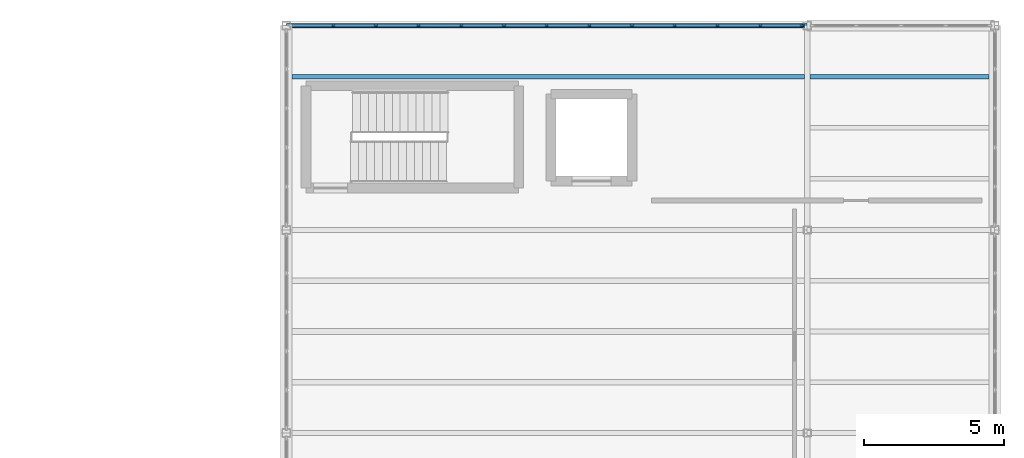
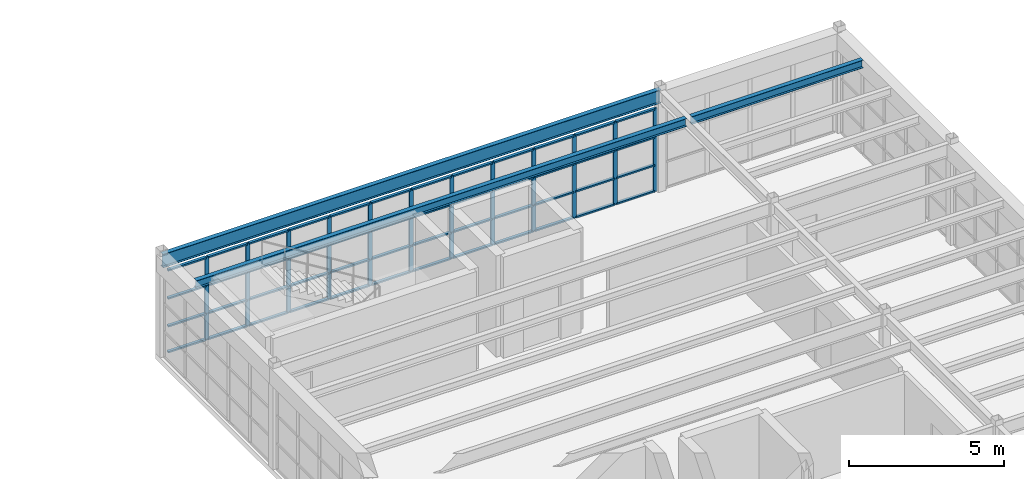
# One storey, part 30 of 52: 60 members, 3 beams, 1 element without a shape of its own.
"""IFC4 building model written with IfcOpenShell, lengths in metres."""

from ifc_helpers import new_model, si_unit, direction, frame, origin, origin_2d, place, context, subcontext, project, spatial, rectangle, i_section, extrude, material, layer, layer_set, material_profile, profile_set, type_object, element, aggregate, save


model = new_model("IFC4")

# Units and contexts
model_context = context("Model", 3, precision=1e-05, world=origin(), true_north=direction((0.0, 1.0)))
body_context = subcontext(model_context, "Body", "Model", "MODEL_VIEW")
ifc_project = project(units=[si_unit("LENGTHUNIT", "METRE"), si_unit("AREAUNIT", "SQUARE_METRE"), si_unit("VOLUMEUNIT", "CUBIC_METRE"), si_unit("PLANEANGLEUNIT", "RADIAN"), si_unit("MASSUNIT", "GRAM", prefix="KILO")], contexts=[model_context])

# Site, building, storey
site_placement = place(None, origin())
site = spatial("IfcSite", under=ifc_project, at=site_placement, CompositionType="ELEMENT")
building_placement = place(site_placement, origin())
building = spatial("IfcBuilding", under=site, at=building_placement, Name="Candilejo Ridge Gondola Terminal", CompositionType="ELEMENT")
storey_placement = place(building_placement, frame((0.0, 0.0, 18.60009765625)))
storey = spatial("IfcBuildingStorey", under=building, at=storey_placement, Name="L04", CompositionType="ELEMENT", Elevation=18.60009765625)

# Curtain wall, members
ifc_material_1 = material(Name="Anodised aluminium AA 6063-T6", Category="aluminium")
ifc_layer = layer(ifc_material_1, 0.169921875)
ifc_layer_set = layer_set([ifc_layer], Name="ARC-CW-TOWER-3000-1830X329")
curtain_wall_type = type_object("IfcCurtainWallType", Name="ARC-CW-TOWER-3000-1830X329", PredefinedType="NOTDEFINED", material=ifc_layer_set)
curtain_wall_placement = place(storey_placement, origin())
curtain_wall = element("IfcCurtainWall", 1, at=curtain_wall_placement, inside=storey, type_object=curtain_wall_type, Name="Curtain wall V5 L04-223", PredefinedType="NOTDEFINED")
ifc_material_2 = material(Name="Anodised aluminium AA 6063-T6", Category="aluminium")
ifc_material_profile_1 = material_profile(ifc_material_2, rectangle(XDim=0.06494140625, YDim=0.14990234375, at=origin_2d()))
ifc_profile_set_1 = profile_set([ifc_material_profile_1], Name="Anodised aluminium AA 6063-T6")
member_type_1 = type_object("IfcMemberType", Name="ARC-CW-MULLION-150", PredefinedType="MULLION", material=ifc_profile_set_1)
member_1_placement = place(storey_placement, frame((151.675048828125, 120.85009765625, 0.0), z_axis=(0.0, 0.0, 1.0), x_axis=(0.0, 1.0, 0.0)))
member_1 = element("IfcMember", 2, at=member_1_placement, type_object=member_type_1, Name="CW-183X32 mullion 2", PredefinedType="MULLION", context=body_context, shape_type="SweptSolid", body=[
    extrude(rectangle(XDim=0.06494140625, YDim=0.14990234375, at=origin_2d()), origin(), (0.0, 0.0, 1.0), 3.289794921875),
])
member_2_placement = place(storey_placement, frame((153.199951171875, 120.85009765625, 0.0), z_axis=(0.0, 0.0, 1.0), x_axis=(0.0, 1.0, 0.0)))
member_2 = element("IfcMember", 3, at=member_2_placement, type_object=member_type_1, Name="CW-183X32 mullion 3", PredefinedType="MULLION", context=body_context, shape_type="SweptSolid", body=[
    extrude(rectangle(XDim=0.06494140625, YDim=0.14990234375, at=origin_2d()), origin(), (0.0, 0.0, 1.0), 3.289794921875),
])
member_3_placement = place(storey_placement, frame((154.72509765625, 120.85009765625, 0.0), z_axis=(0.0, 0.0, 1.0), x_axis=(0.0, 1.0, 0.0)))
member_3 = element("IfcMember", 4, at=member_3_placement, type_object=member_type_1, Name="CW-183X32 mullion 4", PredefinedType="MULLION", context=body_context, shape_type="SweptSolid", body=[
    extrude(rectangle(XDim=0.06494140625, YDim=0.14990234375, at=origin_2d()), origin(), (0.0, 0.0, 1.0), 3.289794921875),
])
member_4_placement = place(storey_placement, frame((156.25, 120.85009765625, 0.0), z_axis=(0.0, 0.0, 1.0), x_axis=(0.0, 1.0, 0.0)))
member_4 = element("IfcMember", 5, at=member_4_placement, type_object=member_type_1, Name="CW-183X32 mullion 5", PredefinedType="MULLION", context=body_context, shape_type="SweptSolid", body=[
    extrude(rectangle(XDim=0.06494140625, YDim=0.14990234375, at=origin_2d()), origin(), (0.0, 0.0, 1.0), 3.289794921875),
])
member_5_placement = place(storey_placement, frame((157.77490234375, 120.85009765625, 0.0), z_axis=(0.0, 0.0, 1.0), x_axis=(0.0, 1.0, 0.0)))
member_5 = element("IfcMember", 6, at=member_5_placement, type_object=member_type_1, Name="CW-183X32 mullion 6", PredefinedType="MULLION", context=body_context, shape_type="SweptSolid", body=[
    extrude(rectangle(XDim=0.06494140625, YDim=0.14990234375, at=origin_2d()), origin(), (0.0, 0.0, 1.0), 3.289794921875),
])
member_6_placement = place(storey_placement, frame((159.300048828125, 120.85009765625, 0.0), z_axis=(0.0, 0.0, 1.0), x_axis=(0.0, 1.0, 0.0)))
member_6 = element("IfcMember", 7, at=member_6_placement, type_object=member_type_1, Name="CW-183X32 mullion 7", PredefinedType="MULLION", context=body_context, shape_type="SweptSolid", body=[
    extrude(rectangle(XDim=0.06494140625, YDim=0.14990234375, at=origin_2d()), origin(), (0.0, 0.0, 1.0), 3.289794921875),
])
member_7_placement = place(storey_placement, frame((160.824951171875, 120.85009765625, 0.0), z_axis=(0.0, 0.0, 1.0), x_axis=(0.0, 1.0, 0.0)))
member_7 = element("IfcMember", 8, at=member_7_placement, type_object=member_type_1, Name="CW-183X32 mullion 8", PredefinedType="MULLION", context=body_context, shape_type="SweptSolid", body=[
    extrude(rectangle(XDim=0.06494140625, YDim=0.14990234375, at=origin_2d()), origin(), (0.0, 0.0, 1.0), 3.289794921875),
])
member_8_placement = place(storey_placement, frame((162.35009765625, 120.85009765625, 0.0), z_axis=(0.0, 0.0, 1.0), x_axis=(0.0, 1.0, 0.0)))
member_8 = element("IfcMember", 9, at=member_8_placement, type_object=member_type_1, Name="CW-183X32 mullion 9", PredefinedType="MULLION", context=body_context, shape_type="SweptSolid", body=[
    extrude(rectangle(XDim=0.06494140625, YDim=0.14990234375, at=origin_2d()), origin(), (0.0, 0.0, 1.0), 3.289794921875),
])
member_9_placement = place(storey_placement, frame((163.875, 120.85009765625, 0.0), z_axis=(0.0, 0.0, 1.0), x_axis=(0.0, 1.0, 0.0)))
member_9 = element("IfcMember", 10, at=member_9_placement, type_object=member_type_1, Name="CW-183X32 mullion 10", PredefinedType="MULLION", context=body_context, shape_type="SweptSolid", body=[
    extrude(rectangle(XDim=0.06494140625, YDim=0.14990234375, at=origin_2d()), origin(), (0.0, 0.0, 1.0), 3.289794921875),
])
member_10_placement = place(storey_placement, frame((165.39990234375, 120.85009765625, 0.0), z_axis=(0.0, 0.0, 1.0), x_axis=(0.0, 1.0, 0.0)))
member_10 = element("IfcMember", 11, at=member_10_placement, type_object=member_type_1, Name="CW-183X32 mullion 11", PredefinedType="MULLION", context=body_context, shape_type="SweptSolid", body=[
    extrude(rectangle(XDim=0.06494140625, YDim=0.14990234375, at=origin_2d()), origin(), (0.0, 0.0, 1.0), 3.289794921875),
])
member_11_placement = place(storey_placement, frame((166.925048828125, 120.85009765625, 0.0), z_axis=(0.0, 0.0, 1.0), x_axis=(0.0, 1.0, 0.0)))
member_11 = element("IfcMember", 12, at=member_11_placement, type_object=member_type_1, Name="CW-183X32 mullion 12", PredefinedType="MULLION", context=body_context, shape_type="SweptSolid", body=[
    extrude(rectangle(XDim=0.06494140625, YDim=0.14990234375, at=origin_2d()), origin(), (0.0, 0.0, 1.0), 3.289794921875),
])
member_12_placement = place(storey_placement, frame((168.41748046875, 120.85009765625, 0.0), z_axis=(0.0, 0.0, 1.0), x_axis=(0.0, 1.0, 0.0)))
member_12 = element("IfcMember", 13, at=member_12_placement, type_object=member_type_1, Name="CW-183X32 mullion 13", PredefinedType="MULLION", context=body_context, shape_type="SweptSolid", body=[
    extrude(rectangle(XDim=0.06494140625, YDim=0.14990234375, at=origin_2d()), origin(), (0.0, 0.0, 1.0), 3.289794921875),
])
ifc_material_3 = material(Name="Anodised aluminium AA 6063-T6", Category="aluminium")
ifc_material_profile_2 = material_profile(ifc_material_3, rectangle(XDim=0.110107421875, YDim=0.06005859375, at=origin_2d()))
ifc_profile_set_2 = profile_set([ifc_material_profile_2], Name="Anodised aluminium AA 6063-T6")
member_type_2 = type_object("IfcMemberType", Name="ARC-CW-TRANSOM-110", PredefinedType="USERDEFINED", material=ifc_profile_set_2)
member_13_placement = place(storey_placement, frame((150.215087890625, 120.85009765625, 0.02978515625), z_axis=(1.0, 0.0, 0.0), x_axis=(0.0, 1.0, 0.0)))
member_13 = element("IfcMember", 14, at=member_13_placement, type_object=member_type_2, Name="CW-183X32 transom 1.1", ObjectType="TRANSOM", PredefinedType="USERDEFINED", context=body_context, shape_type="SweptSolid", body=[
    extrude(rectangle(XDim=0.110107421875, YDim=0.06005859375, at=origin_2d()), origin(), (0.0, 0.0, 1.0), 1.427490234375),
])
member_14_placement = place(storey_placement, frame((150.215087890625, 120.85009765625, 1.0498046875), z_axis=(1.0, 0.0, 0.0), x_axis=(0.0, 1.0, 0.0)))
member_14 = element("IfcMember", 15, at=member_14_placement, type_object=member_type_2, Name="CW-183X32 transom 1.2", ObjectType="TRANSOM", PredefinedType="USERDEFINED", context=body_context, shape_type="SweptSolid", body=[
    extrude(rectangle(XDim=0.110107421875, YDim=0.06005859375, at=origin_2d()), origin(), (0.0, 0.0, 1.0), 1.427490234375),
])
member_15_placement = place(storey_placement, frame((150.215087890625, 120.85009765625, 2.14990234375), z_axis=(1.0, 0.0, 0.0), x_axis=(0.0, 1.0, 0.0)))
member_15 = element("IfcMember", 16, at=member_15_placement, type_object=member_type_2, Name="CW-183X32 transom 1.3", ObjectType="TRANSOM", PredefinedType="USERDEFINED", context=body_context, shape_type="SweptSolid", body=[
    extrude(rectangle(XDim=0.110107421875, YDim=0.06005859375, at=origin_2d()), origin(), (0.0, 0.0, 1.0), 1.427490234375),
])
member_16_placement = place(storey_placement, frame((150.215087890625, 120.85009765625, 3.260009765625), z_axis=(1.0, 0.0, 0.0), x_axis=(0.0, 1.0, 0.0)))
member_16 = element("IfcMember", 17, at=member_16_placement, type_object=member_type_2, Name="CW-183X32 transom 1.4", ObjectType="TRANSOM", PredefinedType="USERDEFINED", context=body_context, shape_type="SweptSolid", body=[
    extrude(rectangle(XDim=0.110107421875, YDim=0.06005859375, at=origin_2d()), origin(), (0.0, 0.0, 1.0), 1.427490234375),
])
member_17_placement = place(storey_placement, frame((151.70751953125, 120.85009765625, 0.02978515625), z_axis=(1.0, 0.0, 0.0), x_axis=(0.0, 1.0, 0.0)))
member_17 = element("IfcMember", 18, at=member_17_placement, type_object=member_type_2, Name="CW-183X32 transom 2.1", ObjectType="TRANSOM", PredefinedType="USERDEFINED", context=body_context, shape_type="SweptSolid", body=[
    extrude(rectangle(XDim=0.110107421875, YDim=0.06005859375, at=origin_2d()), origin(), (0.0, 0.0, 1.0), 1.4599609375),
])
member_18_placement = place(storey_placement, frame((151.70751953125, 120.85009765625, 1.0498046875), z_axis=(1.0, 0.0, 0.0), x_axis=(0.0, 1.0, 0.0)))
member_18 = element("IfcMember", 19, at=member_18_placement, type_object=member_type_2, Name="CW-183X32 transom 2.2", ObjectType="TRANSOM", PredefinedType="USERDEFINED", context=body_context, shape_type="SweptSolid", body=[
    extrude(rectangle(XDim=0.110107421875, YDim=0.06005859375, at=origin_2d()), origin(), (0.0, 0.0, 1.0), 1.4599609375),
])
member_19_placement = place(storey_placement, frame((151.70751953125, 120.85009765625, 2.14990234375), z_axis=(1.0, 0.0, 0.0), x_axis=(0.0, 1.0, 0.0)))
member_19 = element("IfcMember", 20, at=member_19_placement, type_object=member_type_2, Name="CW-183X32 transom 2.3", ObjectType="TRANSOM", PredefinedType="USERDEFINED", context=body_context, shape_type="SweptSolid", body=[
    extrude(rectangle(XDim=0.110107421875, YDim=0.06005859375, at=origin_2d()), origin(), (0.0, 0.0, 1.0), 1.4599609375),
])
member_20_placement = place(storey_placement, frame((151.70751953125, 120.85009765625, 3.260009765625), z_axis=(1.0, 0.0, 0.0), x_axis=(0.0, 1.0, 0.0)))
member_20 = element("IfcMember", 21, at=member_20_placement, type_object=member_type_2, Name="CW-183X32 transom 2.4", ObjectType="TRANSOM", PredefinedType="USERDEFINED", context=body_context, shape_type="SweptSolid", body=[
    extrude(rectangle(XDim=0.110107421875, YDim=0.06005859375, at=origin_2d()), origin(), (0.0, 0.0, 1.0), 1.4599609375),
])
member_21_placement = place(storey_placement, frame((153.232421875, 120.85009765625, 0.02978515625), z_axis=(1.0, 0.0, 0.0), x_axis=(0.0, 1.0, 0.0)))
member_21 = element("IfcMember", 22, at=member_21_placement, type_object=member_type_2, Name="CW-183X32 transom 3.1", ObjectType="TRANSOM", PredefinedType="USERDEFINED", context=body_context, shape_type="SweptSolid", body=[
    extrude(rectangle(XDim=0.110107421875, YDim=0.06005859375, at=origin_2d()), origin(), (0.0, 0.0, 1.0), 1.4599609375),
])
member_22_placement = place(storey_placement, frame((153.232421875, 120.85009765625, 1.0498046875), z_axis=(1.0, 0.0, 0.0), x_axis=(0.0, 1.0, 0.0)))
member_22 = element("IfcMember", 23, at=member_22_placement, type_object=member_type_2, Name="CW-183X32 transom 3.2", ObjectType="TRANSOM", PredefinedType="USERDEFINED", context=body_context, shape_type="SweptSolid", body=[
    extrude(rectangle(XDim=0.110107421875, YDim=0.06005859375, at=origin_2d()), origin(), (0.0, 0.0, 1.0), 1.4599609375),
])
member_23_placement = place(storey_placement, frame((153.232421875, 120.85009765625, 2.14990234375), z_axis=(1.0, 0.0, 0.0), x_axis=(0.0, 1.0, 0.0)))
member_23 = element("IfcMember", 24, at=member_23_placement, type_object=member_type_2, Name="CW-183X32 transom 3.3", ObjectType="TRANSOM", PredefinedType="USERDEFINED", context=body_context, shape_type="SweptSolid", body=[
    extrude(rectangle(XDim=0.110107421875, YDim=0.06005859375, at=origin_2d()), origin(), (0.0, 0.0, 1.0), 1.4599609375),
])
member_24_placement = place(storey_placement, frame((153.232421875, 120.85009765625, 3.260009765625), z_axis=(1.0, 0.0, 0.0), x_axis=(0.0, 1.0, 0.0)))
member_24 = element("IfcMember", 25, at=member_24_placement, type_object=member_type_2, Name="CW-183X32 transom 3.4", ObjectType="TRANSOM", PredefinedType="USERDEFINED", context=body_context, shape_type="SweptSolid", body=[
    extrude(rectangle(XDim=0.110107421875, YDim=0.06005859375, at=origin_2d()), origin(), (0.0, 0.0, 1.0), 1.4599609375),
])
member_25_placement = place(storey_placement, frame((154.757568359375, 120.85009765625, 0.02978515625), z_axis=(1.0, 0.0, 0.0), x_axis=(0.0, 1.0, 0.0)))
member_25 = element("IfcMember", 26, at=member_25_placement, type_object=member_type_2, Name="CW-183X32 transom 4.1", ObjectType="TRANSOM", PredefinedType="USERDEFINED", context=body_context, shape_type="SweptSolid", body=[
    extrude(rectangle(XDim=0.110107421875, YDim=0.06005859375, at=origin_2d()), origin(), (0.0, 0.0, 1.0), 1.4599609375),
])
member_26_placement = place(storey_placement, frame((154.757568359375, 120.85009765625, 1.0498046875), z_axis=(1.0, 0.0, 0.0), x_axis=(0.0, 1.0, 0.0)))
member_26 = element("IfcMember", 27, at=member_26_placement, type_object=member_type_2, Name="CW-183X32 transom 4.2", ObjectType="TRANSOM", PredefinedType="USERDEFINED", context=body_context, shape_type="SweptSolid", body=[
    extrude(rectangle(XDim=0.110107421875, YDim=0.06005859375, at=origin_2d()), origin(), (0.0, 0.0, 1.0), 1.4599609375),
])
member_27_placement = place(storey_placement, frame((154.757568359375, 120.85009765625, 2.14990234375), z_axis=(1.0, 0.0, 0.0), x_axis=(0.0, 1.0, 0.0)))
member_27 = element("IfcMember", 28, at=member_27_placement, type_object=member_type_2, Name="CW-183X32 transom 4.3", ObjectType="TRANSOM", PredefinedType="USERDEFINED", context=body_context, shape_type="SweptSolid", body=[
    extrude(rectangle(XDim=0.110107421875, YDim=0.06005859375, at=origin_2d()), origin(), (0.0, 0.0, 1.0), 1.4599609375),
])
member_28_placement = place(storey_placement, frame((154.757568359375, 120.85009765625, 3.260009765625), z_axis=(1.0, 0.0, 0.0), x_axis=(0.0, 1.0, 0.0)))
member_28 = element("IfcMember", 29, at=member_28_placement, type_object=member_type_2, Name="CW-183X32 transom 4.4", ObjectType="TRANSOM", PredefinedType="USERDEFINED", context=body_context, shape_type="SweptSolid", body=[
    extrude(rectangle(XDim=0.110107421875, YDim=0.06005859375, at=origin_2d()), origin(), (0.0, 0.0, 1.0), 1.4599609375),
])
member_29_placement = place(storey_placement, frame((156.282470703125, 120.85009765625, 0.02978515625), z_axis=(1.0, 0.0, 0.0), x_axis=(0.0, 1.0, 0.0)))
member_29 = element("IfcMember", 30, at=member_29_placement, type_object=member_type_2, Name="CW-183X32 transom 5.1", ObjectType="TRANSOM", PredefinedType="USERDEFINED", context=body_context, shape_type="SweptSolid", body=[
    extrude(rectangle(XDim=0.110107421875, YDim=0.06005859375, at=origin_2d()), origin(), (0.0, 0.0, 1.0), 1.4599609375),
])
member_30_placement = place(storey_placement, frame((156.282470703125, 120.85009765625, 1.0498046875), z_axis=(1.0, 0.0, 0.0), x_axis=(0.0, 1.0, 0.0)))
member_30 = element("IfcMember", 31, at=member_30_placement, type_object=member_type_2, Name="CW-183X32 transom 5.2", ObjectType="TRANSOM", PredefinedType="USERDEFINED", context=body_context, shape_type="SweptSolid", body=[
    extrude(rectangle(XDim=0.110107421875, YDim=0.06005859375, at=origin_2d()), origin(), (0.0, 0.0, 1.0), 1.4599609375),
])
member_31_placement = place(storey_placement, frame((156.282470703125, 120.85009765625, 2.14990234375), z_axis=(1.0, 0.0, 0.0), x_axis=(0.0, 1.0, 0.0)))
member_31 = element("IfcMember", 32, at=member_31_placement, type_object=member_type_2, Name="CW-183X32 transom 5.3", ObjectType="TRANSOM", PredefinedType="USERDEFINED", context=body_context, shape_type="SweptSolid", body=[
    extrude(rectangle(XDim=0.110107421875, YDim=0.06005859375, at=origin_2d()), origin(), (0.0, 0.0, 1.0), 1.4599609375),
])
member_32_placement = place(storey_placement, frame((156.282470703125, 120.85009765625, 3.260009765625), z_axis=(1.0, 0.0, 0.0), x_axis=(0.0, 1.0, 0.0)))
member_32 = element("IfcMember", 33, at=member_32_placement, type_object=member_type_2, Name="CW-183X32 transom 5.4", ObjectType="TRANSOM", PredefinedType="USERDEFINED", context=body_context, shape_type="SweptSolid", body=[
    extrude(rectangle(XDim=0.110107421875, YDim=0.06005859375, at=origin_2d()), origin(), (0.0, 0.0, 1.0), 1.4599609375),
])
member_33_placement = place(storey_placement, frame((157.8076171875, 120.85009765625, 0.02978515625), z_axis=(1.0, 0.0, 0.0), x_axis=(0.0, 1.0, 0.0)))
member_33 = element("IfcMember", 34, at=member_33_placement, type_object=member_type_2, Name="CW-183X32 transom 6.1", ObjectType="TRANSOM", PredefinedType="USERDEFINED", context=body_context, shape_type="SweptSolid", body=[
    extrude(rectangle(XDim=0.110107421875, YDim=0.06005859375, at=origin_2d()), origin(), (0.0, 0.0, 1.0), 1.4599609375),
])
member_34_placement = place(storey_placement, frame((157.8076171875, 120.85009765625, 1.0498046875), z_axis=(1.0, 0.0, 0.0), x_axis=(0.0, 1.0, 0.0)))
member_34 = element("IfcMember", 35, at=member_34_placement, type_object=member_type_2, Name="CW-183X32 transom 6.2", ObjectType="TRANSOM", PredefinedType="USERDEFINED", context=body_context, shape_type="SweptSolid", body=[
    extrude(rectangle(XDim=0.110107421875, YDim=0.06005859375, at=origin_2d()), origin(), (0.0, 0.0, 1.0), 1.4599609375),
])
member_35_placement = place(storey_placement, frame((157.8076171875, 120.85009765625, 2.14990234375), z_axis=(1.0, 0.0, 0.0), x_axis=(0.0, 1.0, 0.0)))
member_35 = element("IfcMember", 36, at=member_35_placement, type_object=member_type_2, Name="CW-183X32 transom 6.3", ObjectType="TRANSOM", PredefinedType="USERDEFINED", context=body_context, shape_type="SweptSolid", body=[
    extrude(rectangle(XDim=0.110107421875, YDim=0.06005859375, at=origin_2d()), origin(), (0.0, 0.0, 1.0), 1.4599609375),
])
member_36_placement = place(storey_placement, frame((157.8076171875, 120.85009765625, 3.260009765625), z_axis=(1.0, 0.0, 0.0), x_axis=(0.0, 1.0, 0.0)))
member_36 = element("IfcMember", 37, at=member_36_placement, type_object=member_type_2, Name="CW-183X32 transom 6.4", ObjectType="TRANSOM", PredefinedType="USERDEFINED", context=body_context, shape_type="SweptSolid", body=[
    extrude(rectangle(XDim=0.110107421875, YDim=0.06005859375, at=origin_2d()), origin(), (0.0, 0.0, 1.0), 1.4599609375),
])
member_37_placement = place(storey_placement, frame((159.33251953125, 120.85009765625, 0.02978515625), z_axis=(1.0, 0.0, 0.0), x_axis=(0.0, 1.0, 0.0)))
member_37 = element("IfcMember", 38, at=member_37_placement, type_object=member_type_2, Name="CW-183X32 transom 7.1", ObjectType="TRANSOM", PredefinedType="USERDEFINED", context=body_context, shape_type="SweptSolid", body=[
    extrude(rectangle(XDim=0.110107421875, YDim=0.06005859375, at=origin_2d()), origin(), (0.0, 0.0, 1.0), 1.4599609375),
])
member_38_placement = place(storey_placement, frame((159.33251953125, 120.85009765625, 1.0498046875), z_axis=(1.0, 0.0, 0.0), x_axis=(0.0, 1.0, 0.0)))
member_38 = element("IfcMember", 39, at=member_38_placement, type_object=member_type_2, Name="CW-183X32 transom 7.2", ObjectType="TRANSOM", PredefinedType="USERDEFINED", context=body_context, shape_type="SweptSolid", body=[
    extrude(rectangle(XDim=0.110107421875, YDim=0.06005859375, at=origin_2d()), origin(), (0.0, 0.0, 1.0), 1.4599609375),
])
member_39_placement = place(storey_placement, frame((159.33251953125, 120.85009765625, 2.14990234375), z_axis=(1.0, 0.0, 0.0), x_axis=(0.0, 1.0, 0.0)))
member_39 = element("IfcMember", 40, at=member_39_placement, type_object=member_type_2, Name="CW-183X32 transom 7.3", ObjectType="TRANSOM", PredefinedType="USERDEFINED", context=body_context, shape_type="SweptSolid", body=[
    extrude(rectangle(XDim=0.110107421875, YDim=0.06005859375, at=origin_2d()), origin(), (0.0, 0.0, 1.0), 1.4599609375),
])
member_40_placement = place(storey_placement, frame((159.33251953125, 120.85009765625, 3.260009765625), z_axis=(1.0, 0.0, 0.0), x_axis=(0.0, 1.0, 0.0)))
member_40 = element("IfcMember", 41, at=member_40_placement, type_object=member_type_2, Name="CW-183X32 transom 7.4", ObjectType="TRANSOM", PredefinedType="USERDEFINED", context=body_context, shape_type="SweptSolid", body=[
    extrude(rectangle(XDim=0.110107421875, YDim=0.06005859375, at=origin_2d()), origin(), (0.0, 0.0, 1.0), 1.4599609375),
])
member_41_placement = place(storey_placement, frame((160.857421875, 120.85009765625, 0.02978515625), z_axis=(1.0, 0.0, 0.0), x_axis=(0.0, 1.0, 0.0)))
member_41 = element("IfcMember", 42, at=member_41_placement, type_object=member_type_2, Name="CW-183X32 transom 8.1", ObjectType="TRANSOM", PredefinedType="USERDEFINED", context=body_context, shape_type="SweptSolid", body=[
    extrude(rectangle(XDim=0.110107421875, YDim=0.06005859375, at=origin_2d()), origin(), (0.0, 0.0, 1.0), 1.4599609375),
])
member_42_placement = place(storey_placement, frame((160.857421875, 120.85009765625, 1.0498046875), z_axis=(1.0, 0.0, 0.0), x_axis=(0.0, 1.0, 0.0)))
member_42 = element("IfcMember", 43, at=member_42_placement, type_object=member_type_2, Name="CW-183X32 transom 8.2", ObjectType="TRANSOM", PredefinedType="USERDEFINED", context=body_context, shape_type="SweptSolid", body=[
    extrude(rectangle(XDim=0.110107421875, YDim=0.06005859375, at=origin_2d()), origin(), (0.0, 0.0, 1.0), 1.4599609375),
])
member_43_placement = place(storey_placement, frame((160.857421875, 120.85009765625, 2.14990234375), z_axis=(1.0, 0.0, 0.0), x_axis=(0.0, 1.0, 0.0)))
member_43 = element("IfcMember", 44, at=member_43_placement, type_object=member_type_2, Name="CW-183X32 transom 8.3", ObjectType="TRANSOM", PredefinedType="USERDEFINED", context=body_context, shape_type="SweptSolid", body=[
    extrude(rectangle(XDim=0.110107421875, YDim=0.06005859375, at=origin_2d()), origin(), (0.0, 0.0, 1.0), 1.4599609375),
])
member_44_placement = place(storey_placement, frame((160.857421875, 120.85009765625, 3.260009765625), z_axis=(1.0, 0.0, 0.0), x_axis=(0.0, 1.0, 0.0)))
member_44 = element("IfcMember", 45, at=member_44_placement, type_object=member_type_2, Name="CW-183X32 transom 8.4", ObjectType="TRANSOM", PredefinedType="USERDEFINED", context=body_context, shape_type="SweptSolid", body=[
    extrude(rectangle(XDim=0.110107421875, YDim=0.06005859375, at=origin_2d()), origin(), (0.0, 0.0, 1.0), 1.4599609375),
])
member_45_placement = place(storey_placement, frame((162.382568359375, 120.85009765625, 0.02978515625), z_axis=(1.0, 0.0, 0.0), x_axis=(0.0, 1.0, 0.0)))
member_45 = element("IfcMember", 46, at=member_45_placement, type_object=member_type_2, Name="CW-183X32 transom 9.1", ObjectType="TRANSOM", PredefinedType="USERDEFINED", context=body_context, shape_type="SweptSolid", body=[
    extrude(rectangle(XDim=0.110107421875, YDim=0.06005859375, at=origin_2d()), origin(), (0.0, 0.0, 1.0), 1.4599609375),
])
member_46_placement = place(storey_placement, frame((162.382568359375, 120.85009765625, 1.0498046875), z_axis=(1.0, 0.0, 0.0), x_axis=(0.0, 1.0, 0.0)))
member_46 = element("IfcMember", 47, at=member_46_placement, type_object=member_type_2, Name="CW-183X32 transom 9.2", ObjectType="TRANSOM", PredefinedType="USERDEFINED", context=body_context, shape_type="SweptSolid", body=[
    extrude(rectangle(XDim=0.110107421875, YDim=0.06005859375, at=origin_2d()), origin(), (0.0, 0.0, 1.0), 1.4599609375),
])
member_47_placement = place(storey_placement, frame((162.382568359375, 120.85009765625, 2.14990234375), z_axis=(1.0, 0.0, 0.0), x_axis=(0.0, 1.0, 0.0)))
member_47 = element("IfcMember", 48, at=member_47_placement, type_object=member_type_2, Name="CW-183X32 transom 9.3", ObjectType="TRANSOM", PredefinedType="USERDEFINED", context=body_context, shape_type="SweptSolid", body=[
    extrude(rectangle(XDim=0.110107421875, YDim=0.06005859375, at=origin_2d()), origin(), (0.0, 0.0, 1.0), 1.4599609375),
])
member_48_placement = place(storey_placement, frame((162.382568359375, 120.85009765625, 3.260009765625), z_axis=(1.0, 0.0, 0.0), x_axis=(0.0, 1.0, 0.0)))
member_48 = element("IfcMember", 49, at=member_48_placement, type_object=member_type_2, Name="CW-183X32 transom 9.4", ObjectType="TRANSOM", PredefinedType="USERDEFINED", context=body_context, shape_type="SweptSolid", body=[
    extrude(rectangle(XDim=0.110107421875, YDim=0.06005859375, at=origin_2d()), origin(), (0.0, 0.0, 1.0), 1.4599609375),
])
member_49_placement = place(storey_placement, frame((163.907470703125, 120.85009765625, 0.02978515625), z_axis=(1.0, 0.0, 0.0), x_axis=(0.0, 1.0, 0.0)))
member_49 = element("IfcMember", 50, at=member_49_placement, type_object=member_type_2, Name="CW-183X32 transom 10.1", ObjectType="TRANSOM", PredefinedType="USERDEFINED", context=body_context, shape_type="SweptSolid", body=[
    extrude(rectangle(XDim=0.110107421875, YDim=0.06005859375, at=origin_2d()), origin(), (0.0, 0.0, 1.0), 1.4599609375),
])
member_50_placement = place(storey_placement, frame((163.907470703125, 120.85009765625, 1.0498046875), z_axis=(1.0, 0.0, 0.0), x_axis=(0.0, 1.0, 0.0)))
member_50 = element("IfcMember", 51, at=member_50_placement, type_object=member_type_2, Name="CW-183X32 transom 10.2", ObjectType="TRANSOM", PredefinedType="USERDEFINED", context=body_context, shape_type="SweptSolid", body=[
    extrude(rectangle(XDim=0.110107421875, YDim=0.06005859375, at=origin_2d()), origin(), (0.0, 0.0, 1.0), 1.4599609375),
])
member_51_placement = place(storey_placement, frame((163.907470703125, 120.85009765625, 2.14990234375), z_axis=(1.0, 0.0, 0.0), x_axis=(0.0, 1.0, 0.0)))
member_51 = element("IfcMember", 52, at=member_51_placement, type_object=member_type_2, Name="CW-183X32 transom 10.3", ObjectType="TRANSOM", PredefinedType="USERDEFINED", context=body_context, shape_type="SweptSolid", body=[
    extrude(rectangle(XDim=0.110107421875, YDim=0.06005859375, at=origin_2d()), origin(), (0.0, 0.0, 1.0), 1.4599609375),
])
member_52_placement = place(storey_placement, frame((163.907470703125, 120.85009765625, 3.260009765625), z_axis=(1.0, 0.0, 0.0), x_axis=(0.0, 1.0, 0.0)))
member_52 = element("IfcMember", 53, at=member_52_placement, type_object=member_type_2, Name="CW-183X32 transom 10.4", ObjectType="TRANSOM", PredefinedType="USERDEFINED", context=body_context, shape_type="SweptSolid", body=[
    extrude(rectangle(XDim=0.110107421875, YDim=0.06005859375, at=origin_2d()), origin(), (0.0, 0.0, 1.0), 1.4599609375),
])
member_53_placement = place(storey_placement, frame((165.4326171875, 120.85009765625, 0.02978515625), z_axis=(1.0, 0.0, 0.0), x_axis=(0.0, 1.0, 0.0)))
member_53 = element("IfcMember", 54, at=member_53_placement, type_object=member_type_2, Name="CW-183X32 transom 11.1", ObjectType="TRANSOM", PredefinedType="USERDEFINED", context=body_context, shape_type="SweptSolid", body=[
    extrude(rectangle(XDim=0.110107421875, YDim=0.06005859375, at=origin_2d()), origin(), (0.0, 0.0, 1.0), 1.4599609375),
])
member_54_placement = place(storey_placement, frame((165.4326171875, 120.85009765625, 1.0498046875), z_axis=(1.0, 0.0, 0.0), x_axis=(0.0, 1.0, 0.0)))
member_54 = element("IfcMember", 55, at=member_54_placement, type_object=member_type_2, Name="CW-183X32 transom 11.2", ObjectType="TRANSOM", PredefinedType="USERDEFINED", context=body_context, shape_type="SweptSolid", body=[
    extrude(rectangle(XDim=0.110107421875, YDim=0.06005859375, at=origin_2d()), origin(), (0.0, 0.0, 1.0), 1.4599609375),
])
member_55_placement = place(storey_placement, frame((165.4326171875, 120.85009765625, 2.14990234375), z_axis=(1.0, 0.0, 0.0), x_axis=(0.0, 1.0, 0.0)))
member_55 = element("IfcMember", 56, at=member_55_placement, type_object=member_type_2, Name="CW-183X32 transom 11.3", ObjectType="TRANSOM", PredefinedType="USERDEFINED", context=body_context, shape_type="SweptSolid", body=[
    extrude(rectangle(XDim=0.110107421875, YDim=0.06005859375, at=origin_2d()), origin(), (0.0, 0.0, 1.0), 1.4599609375),
])
member_56_placement = place(storey_placement, frame((165.4326171875, 120.85009765625, 3.260009765625), z_axis=(1.0, 0.0, 0.0), x_axis=(0.0, 1.0, 0.0)))
member_56 = element("IfcMember", 57, at=member_56_placement, type_object=member_type_2, Name="CW-183X32 transom 11.4", ObjectType="TRANSOM", PredefinedType="USERDEFINED", context=body_context, shape_type="SweptSolid", body=[
    extrude(rectangle(XDim=0.110107421875, YDim=0.06005859375, at=origin_2d()), origin(), (0.0, 0.0, 1.0), 1.4599609375),
])
member_57_placement = place(storey_placement, frame((166.95751953125, 120.85009765625, 0.02978515625), z_axis=(1.0, 0.0, 0.0), x_axis=(0.0, 1.0, 0.0)))
member_57 = element("IfcMember", 58, at=member_57_placement, type_object=member_type_2, Name="CW-183X32 transom 12.1", ObjectType="TRANSOM", PredefinedType="USERDEFINED", context=body_context, shape_type="SweptSolid", body=[
    extrude(rectangle(XDim=0.110107421875, YDim=0.06005859375, at=origin_2d()), origin(), (0.0, 0.0, 1.0), 1.427490234375),
])
member_58_placement = place(storey_placement, frame((166.95751953125, 120.85009765625, 1.0498046875), z_axis=(1.0, 0.0, 0.0), x_axis=(0.0, 1.0, 0.0)))
member_58 = element("IfcMember", 59, at=member_58_placement, type_object=member_type_2, Name="CW-183X32 transom 12.2", ObjectType="TRANSOM", PredefinedType="USERDEFINED", context=body_context, shape_type="SweptSolid", body=[
    extrude(rectangle(XDim=0.110107421875, YDim=0.06005859375, at=origin_2d()), origin(), (0.0, 0.0, 1.0), 1.427490234375),
])
member_59_placement = place(storey_placement, frame((166.95751953125, 120.85009765625, 2.14990234375), z_axis=(1.0, 0.0, 0.0), x_axis=(0.0, 1.0, 0.0)))
member_59 = element("IfcMember", 60, at=member_59_placement, type_object=member_type_2, Name="CW-183X32 transom 12.3", ObjectType="TRANSOM", PredefinedType="USERDEFINED", context=body_context, shape_type="SweptSolid", body=[
    extrude(rectangle(XDim=0.110107421875, YDim=0.06005859375, at=origin_2d()), origin(), (0.0, 0.0, 1.0), 1.427490234375),
])
member_60_placement = place(storey_placement, frame((166.95751953125, 120.85009765625, 3.260009765625), z_axis=(1.0, 0.0, 0.0), x_axis=(0.0, 1.0, 0.0)))
member_60 = element("IfcMember", 61, at=member_60_placement, type_object=member_type_2, Name="CW-183X32 transom 12.4", ObjectType="TRANSOM", PredefinedType="USERDEFINED", context=body_context, shape_type="SweptSolid", body=[
    extrude(rectangle(XDim=0.110107421875, YDim=0.06005859375, at=origin_2d()), origin(), (0.0, 0.0, 1.0), 1.427490234375),
])
aggregate(curtain_wall, [member_1, member_2, member_3, member_4, member_5, member_6, member_7, member_8, member_9, member_10, member_11, member_12, member_13, member_14, member_15, member_16, member_17, member_18, member_19, member_20, member_21, member_22, member_23, member_24, member_25, member_26, member_27, member_28, member_29, member_30, member_31, member_32, member_33, member_34, member_35, member_36, member_37, member_38, member_39, member_40, member_41, member_42, member_43, member_44, member_45, member_46, member_47, member_48, member_49, member_50, member_51, member_52, member_53, member_54, member_55, member_56, member_57, member_58, member_59, member_60])

# Beams
ifc_material_4 = material(Name="Steel ASTM A992 Grade 50", Category="steel")
ifc_material_profile_3 = material_profile(ifc_material_4, i_section(OverallWidth=0.166015625, OverallDepth=0.529052734375, WebThickness=0.009765625, FlangeThickness=0.013671875, at=origin_2d()))
ifc_profile_set_3 = profile_set([ifc_material_profile_3], Name="Steel ASTM A992 Grade 50")
beam_type_1 = type_object("IfcBeamType", Name="STR-BM-W530X74", PredefinedType="BEAM", material=ifc_profile_set_3)
beam_1_placement = place(storey_placement, frame((150.0, 120.85009765625, 3.725341796875), z_axis=(1.0, 0.0, 0.0), x_axis=(0.0, 1.0, 0.0)))
element("IfcBeam", 62, at=beam_1_placement, inside=storey, type_object=beam_type_1, Name="Beam X V5 L04 X23-X25@Y20", PredefinedType="BEAM", context=body_context, shape_type="SweptSolid", body=[
    extrude(i_section(OverallWidth=0.166015625, OverallDepth=0.529052734375, WebThickness=0.009765625, FlangeThickness=0.013671875, at=origin_2d()), origin(), (0.0, 0.0, 1.0), 18.60009765625),
])
ifc_material_5 = material(Name="Steel ASTM A992 Grade 50", Category="steel")
ifc_material_profile_4 = material_profile(ifc_material_5, i_section(OverallWidth=0.1650390625, OverallDepth=0.31005859375, WebThickness=0.005859375, FlangeThickness=0.009765625, at=origin_2d()))
ifc_profile_set_4 = profile_set([ifc_material_profile_4], Name="Steel ASTM A992 Grade 50")
beam_type_2 = type_object("IfcBeamType", Name="STR-JST-W310X39", PredefinedType="JOIST", material=ifc_profile_set_4)
beam_2_placement = place(storey_placement, frame((168.697021484375, 119.02490234375, 3.8349609375), z_axis=(1.0, 0.0, 0.0), x_axis=(0.0, 1.0, 0.0)))
element("IfcBeam", 63, at=beam_2_placement, inside=storey, type_object=beam_type_2, Name="Composite joist V5 L04-1447", PredefinedType="JOIST", context=body_context, shape_type="SweptSolid", body=[
    extrude(i_section(OverallWidth=0.1650390625, OverallDepth=0.31005859375, WebThickness=0.005859375, FlangeThickness=0.009765625, at=origin_2d()), origin(), (0.0, 0.0, 1.0), 6.403076171875),
])
ifc_material_6 = material(Name="Steel ASTM A992 Grade 50", Category="steel")
ifc_material_profile_5 = material_profile(ifc_material_6, i_section(OverallWidth=0.166015625, OverallDepth=0.31298828125, WebThickness=0.006591796875, FlangeThickness=0.01123046875, at=origin_2d()))
ifc_profile_set_5 = profile_set([ifc_material_profile_5], Name="Steel ASTM A992 Grade 50")
beam_type_3 = type_object("IfcBeamType", Name="STR-JST-W310X44", PredefinedType="JOIST", material=ifc_profile_set_5)
beam_3_placement = place(storey_placement, frame((150.199951171875, 119.02490234375, 3.83349609375), z_axis=(1.0, 0.0, 0.0), x_axis=(0.0, 1.0, 0.0)))
element("IfcBeam", 64, at=beam_3_placement, inside=storey, type_object=beam_type_3, Name="Composite joist V5 L04-1438", PredefinedType="JOIST", context=body_context, shape_type="SweptSolid", body=[
    extrude(i_section(OverallWidth=0.166015625, OverallDepth=0.31298828125, WebThickness=0.006591796875, FlangeThickness=0.01123046875, at=origin_2d()), origin(), (0.0, 0.0, 1.0), 18.302978515625),
])

save(model, "model.ifc")
